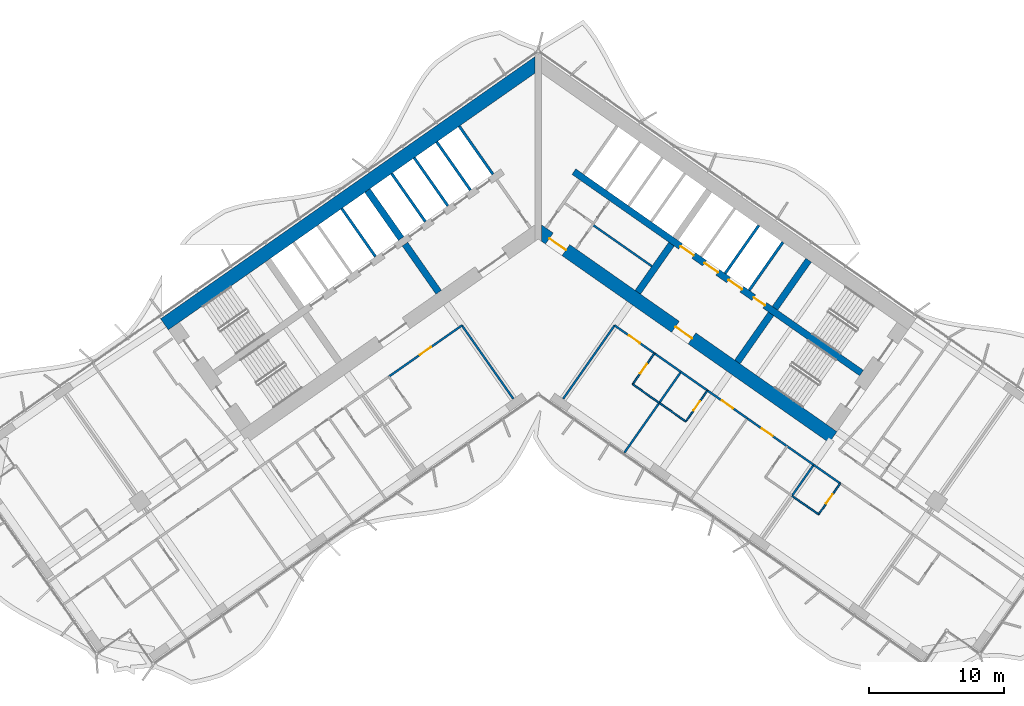
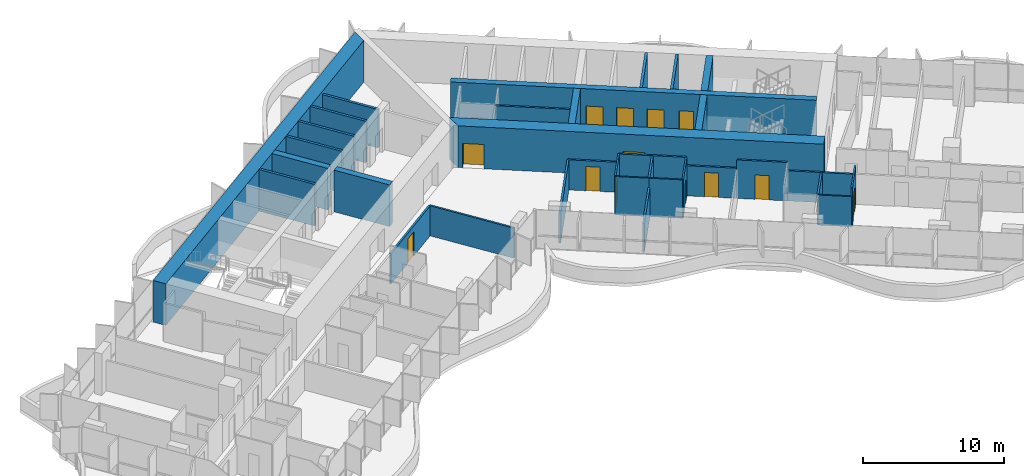
# One storey, part 14 of 23: 35 walls, 13 doors, 13 openings.
"""IFC4 building model written with IfcOpenShell, lengths in metres."""

from ifc_helpers import new_model, si_unit, direction, frame, frame_2d, origin, place, context, subcontext, project, spatial, polyline, rectangle, outline, extrude, material, layer, layer_set, type_object, element, fill, save


model = new_model("IFC4")

# Units and contexts
model_context = context("Model", 3, precision=1e-05, world=origin(), true_north=direction((0.0, 1.0)))
body_context = subcontext(model_context, "Body", "Model", "MODEL_VIEW")
ifc_project = project(units=[si_unit("LENGTHUNIT", "METRE"), si_unit("AREAUNIT", "SQUARE_METRE"), si_unit("VOLUMEUNIT", "CUBIC_METRE"), si_unit("PLANEANGLEUNIT", "RADIAN"), si_unit("MASSUNIT", "GRAM", prefix="KILO")], contexts=[model_context])

# Site, building, storey
site_placement = place(None, origin())
site = spatial("IfcSite", under=ifc_project, at=site_placement, CompositionType="ELEMENT")
building_placement = place(site_placement, origin())
building = spatial("IfcBuilding", under=site, at=building_placement, Name="Tel Ilan Convention Tower", CompositionType="ELEMENT")
storey_placement = place(building_placement, frame((0.0, 0.0, 104.89990234375)))
storey = spatial("IfcBuildingStorey", under=building, at=storey_placement, Name="L22", CompositionType="ELEMENT", Elevation=104.89990234375)

# Walls
ifc_material_1 = material(Name="Gypsum Plasterboard on Steel Stud", Category="steel")
ifc_layer_1 = layer(ifc_material_1, 0.14990234375)
ifc_layer_set_1 = layer_set([ifc_layer_1], Name="Core Room Partition Wall 150 mm EI 60")
wall_type_1 = type_object("IfcWallType", Name="Core Room Partition Wall 150 mm EI 60", PredefinedType="PARTITIONING", material=ifc_layer_set_1)
wall_1_placement = place(storey_placement, frame((4.03271484375, -0.16845703125, 0.0), z_axis=(0.0, 0.0, 1.0), x_axis=(0.819146154531, -0.573584847705, 0.0)))
element("IfcWall", 1, at=wall_1_placement, inside=storey, type_object=wall_type_1, Name="L22 core wall wc-h2", PredefinedType="PARTITIONING", context=body_context, shape_type="SweptSolid", body=[
    extrude(rectangle(XDim=5.349853515625, YDim=0.14990234375, at=frame_2d((2.6748046875, 0.0))), origin(), (0.0, 0.0, 1.0), 3.320068359375),
])
ifc_material_2 = material(Name="Concrete C30/37", Category="concrete")
ifc_layer_2 = layer(ifc_material_2, 0.199951171875)
ifc_layer_set_2 = layer_set([ifc_layer_2], Name="Core Service Room Wall 200 mm C30/37")
wall_type_2 = type_object("IfcWallType", Name="Core Service Room Wall 200 mm C30/37", PredefinedType="SOLIDWALL", material=ifc_layer_set_2)
wall_2_placement = place(storey_placement, frame((-3.355224609375, 3.5712890625, 0.0), z_axis=(0.0, 0.0, 1.0), x_axis=(-0.57356780395, 0.819158088694, 0.0)))
element("IfcWall", 2, at=wall_2_placement, inside=storey, type_object=wall_type_2, Name="L22 core wall apex-W-b", PredefinedType="SOLIDWALL", context=body_context, shape_type="SweptSolid", body=[
    extrude(rectangle(XDim=4.35009765625, YDim=0.199951171875, at=frame_2d((2.175048828125, 0.0))), origin(), (0.0, 0.0, 1.0), 3.320068359375),
])
ifc_material_3 = material(Name="Concrete C60/75", Category="concrete")
ifc_layer_3 = layer(ifc_material_3, 1.0)
ifc_layer_set_3 = layer_set([ifc_layer_3], Name="Core Shear Wall 1000 mm C60/75")
wall_type_3 = type_object("IfcWallType", Name="Core Shear Wall 1000 mm C60/75", PredefinedType="SHEAR", material=ifc_layer_set_3)
wall_3_placement = place(storey_placement, frame((0.036865234375, 11.8671875, 0.0), z_axis=(0.0, 0.0, 1.0), x_axis=(-0.819155306259, -0.573571777746, 0.0)))
element("IfcWall", 3, at=wall_3_placement, inside=storey, type_object=wall_type_3, Name="L22 core wall W-back", PredefinedType="SHEAR", context=body_context, shape_type="SweptSolid", body=[
    extrude(outline(polyline([(33.8369140625, 0.5), (0.7001953125, 0.499755859375), (0.0, -0.5), (33.8369140625, -0.5), (33.8369140625, 0.5)])), origin(), (0.0, 0.0, 1.0), 3.60009765625),
])

# Wall, openings, doors
wall_4_placement = place(storey_placement, frame((-0.036865234375, -0.584716796875, 0.0), z_axis=(0.0, 0.0, 1.0), x_axis=(0.819157152511, -0.573569140985, 0.0)))
wall_4 = element("IfcWall", 4, at=wall_4_placement, inside=storey, type_object=wall_type_3, Name="L22 core wall E-front", PredefinedType="SHEAR", context=body_context, shape_type="SweptSolid", body=[
    extrude(outline(polyline([(26.69482421875, 0.499755859375), (0.0, 0.5), (0.7001953125, -0.499755859375), (26.69482421875, -0.500244140625), (26.69482421875, 0.499755859375)])), origin(), (0.0, 0.0, 1.0), 3.60009765625),
])
opening_1_placement = place(wall_4_placement, frame((1.044921875, 0.0, 0.0)))
opening_1 = element("IfcOpeningElement", 5, at=opening_1_placement, cuts=wall_4, Name="Opening CD1903", PredefinedType="OPENING", context=body_context, shape_type="SweptSolid", body=[
    extrude(rectangle(XDim=1.5, YDim=2.10009765625, at=frame_2d((0.75, 1.050048828125))), frame((0.0, 0.510009765625, 0.0), z_axis=(0.0, -1.0, 0.0), x_axis=(1.0, 0.0, 0.0)), (0.0, 0.0, 1.0), 1.02001953125),
])
opening_2_placement = place(wall_4_placement, frame((12.44482421875, 0.0, 0.0)))
opening_2 = element("IfcOpeningElement", 6, at=opening_2_placement, cuts=wall_4, Name="Opening CD1904", PredefinedType="OPENING", context=body_context, shape_type="SweptSolid", body=[
    extrude(rectangle(XDim=1.5, YDim=2.10009765625, at=frame_2d((0.75, 1.050048828125))), frame((0.0, 0.510009765625, 0.0), z_axis=(0.0, -1.0, 0.0), x_axis=(1.0, 0.0, 0.0)), (0.0, 0.0, 1.0), 1.02001953125),
])
ifc_material_4 = material(Name="Glazed Aluminium Door Leaf", Category="aluminium")
door_type_1 = type_object("IfcDoorType", Name="Lobby Opening Door 1500 x 2100 FD60S", OperationType="NOTDEFINED", PredefinedType="DOOR", material=ifc_material_4)
door_1_placement = place(opening_2_placement, origin())
door_1 = element("IfcDoor", 7, at=door_1_placement, inside=storey, type_object=door_type_1, Name="Firefighting Lobby door", OperationType="DOUBLE_DOOR_SINGLE_SWING", OverallHeight=2.10009765625, OverallWidth=1.5, PredefinedType="DOOR", context=body_context, shape_type="SweptSolid", body=[
    extrude(rectangle(XDim=1.5, YDim=2.10009765625, at=frame_2d((0.75, 1.050048828125))), frame((0.0, 0.02490234375, 0.0), z_axis=(0.0, -1.0, 0.0), x_axis=(1.0, 0.0, 0.0)), (0.0, 0.0, 1.0), 0.050048828125),
])
fill(opening_2, door_1)
ifc_material_5 = material(Name="Laminated Timber Door Leaf", Category="wood")
door_type_2 = type_object("IfcDoorType", Name="Toilet Door 1500 x 2100 FD30S", OperationType="NOTDEFINED", PredefinedType="DOOR", material=ifc_material_5)
door_2_placement = place(opening_1_placement, origin())
door_2 = element("IfcDoor", 8, at=door_2_placement, inside=storey, type_object=door_type_2, Name="WC Lobby door", OperationType="SINGLE_SWING_RIGHT", OverallHeight=2.10009765625, OverallWidth=1.5, PredefinedType="DOOR", context=body_context, shape_type="SweptSolid", body=[
    extrude(rectangle(XDim=1.5, YDim=2.10009765625, at=frame_2d((0.75, 1.050048828125))), frame((0.0, 0.02490234375, 0.0), z_axis=(0.0, -1.0, 0.0), x_axis=(1.0, 0.0, 0.0)), (0.0, 0.0, 1.0), 0.050048828125),
])
fill(opening_1, door_2)

# Walls
ifc_material_6 = material(Name="Concrete C60/75", Category="concrete")
ifc_layer_4 = layer(ifc_material_6, 0.5)
ifc_layer_set_4 = layer_set([ifc_layer_4], Name="Core Shear Wall 500 mm C60/75")
wall_type_4 = type_object("IfcWallType", Name="Core Shear Wall 500 mm C60/75", PredefinedType="SHEAR", material=ifc_layer_set_4)
wall_5_placement = place(storey_placement, frame((-7.372314453125, -5.162109375, 0.0), z_axis=(0.0, 0.0, 1.0), x_axis=(-0.573594173421, 0.819139624372, 0.0)))
element("IfcWall", 9, at=wall_5_placement, inside=storey, type_object=wall_type_4, Name="L22 core wall W-cross1-1", PredefinedType="SHEAR", context=body_context, shape_type="SweptSolid", body=[
    extrude(outline(polyline([(4.349853515625, 0.25), (0.0, 0.250244140625), (0.0, -0.25), (4.349853515625, -0.25), (4.349853515625, 0.25)])), origin(), (0.0, 0.0, 1.0), 3.60009765625),
])
wall_6_placement = place(storey_placement, frame((-10.154296875, -1.189208984375, 0.0), z_axis=(0.0, 0.0, 1.0), x_axis=(-0.573594173421, 0.819139624372, 0.0)))
element("IfcWall", 10, at=wall_6_placement, inside=storey, type_object=wall_type_4, Name="L22 core wall W-cross1-2", PredefinedType="SHEAR", context=body_context, shape_type="SweptSolid", body=[
    extrude(outline(polyline([(4.349853515625, -0.25), (4.349853515625, 0.25), (-0.000244140625, 0.25), (-0.000244140625, -0.25), (4.349853515625, -0.25)])), origin(), (0.0, 0.0, 1.0), 3.60009765625),
])
wall_7_placement = place(storey_placement, frame((7.372314453125, -5.162109375, 0.0), z_axis=(0.0, 0.0, 1.0), x_axis=(0.573594173421, 0.819139624372, 0.0)))
element("IfcWall", 11, at=wall_7_placement, inside=storey, type_object=wall_type_4, Name="L22 core wall E-cross1-1", PredefinedType="SHEAR", context=body_context, shape_type="SweptSolid", body=[
    extrude(outline(polyline([(0.0, 0.25), (0.0, -0.250244140625), (4.349853515625, -0.25), (4.349853515625, 0.25), (0.0, 0.25)])), origin(), (0.0, 0.0, 1.0), 3.60009765625),
])
wall_8_placement = place(storey_placement, frame((14.74462890625, -10.324462890625, 0.0), z_axis=(0.0, 0.0, 1.0), x_axis=(0.57356780395, 0.819158088694, 0.0)))
element("IfcWall", 12, at=wall_8_placement, inside=storey, type_object=wall_type_4, Name="L22 core wall E-cross2-1", PredefinedType="SHEAR", context=body_context, shape_type="SweptSolid", body=[
    extrude(outline(polyline([(0.0, 0.25), (0.0, -0.25), (4.35009765625, -0.250244140625), (4.35009765625, 0.25), (0.0, 0.25)])), origin(), (0.0, 0.0, 1.0), 3.60009765625),
])
wall_9_placement = place(storey_placement, frame((17.526611328125, -6.3515625, 0.0), z_axis=(0.0, 0.0, 1.0), x_axis=(0.573530143085, 0.819184457233, 0.0)))
element("IfcWall", 13, at=wall_9_placement, inside=storey, type_object=wall_type_4, Name="L22 core wall E-cross2-2", PredefinedType="SHEAR", context=body_context, shape_type="SweptSolid", body=[
    extrude(outline(polyline([(4.35009765625, -0.250244140625), (4.35009765625, 0.249755859375), (0.0, 0.25), (0.0, -0.25), (4.35009765625, -0.250244140625)])), origin(), (0.0, 0.0, 1.0), 3.60009765625),
])

# Wall, openings, doors
wall_10_placement = place(storey_placement, frame((2.638427734375, 3.76806640625, 0.0), z_axis=(0.0, 0.0, 1.0), x_axis=(0.819148977158, -0.573580816643, 0.0)))
wall_10 = element("IfcWall", 14, at=wall_10_placement, inside=storey, type_object=wall_type_4, Name="L22 core wall E-spine", PredefinedType="SHEAR", context=body_context, shape_type="SweptSolid", body=[
    extrude(outline(polyline([(0.0, 0.25), (0.0, -0.25), (26.0, -0.249755859375), (26.0, 0.250244140625), (0.0, 0.25)])), origin(), (0.0, 0.0, 1.0), 3.60009765625),
])
opening_3_placement = place(wall_10_placement, frame((9.637451171875, 0.0, 0.0)))
opening_3 = element("IfcOpeningElement", 15, at=opening_3_placement, cuts=wall_10, Name="Opening LD1901", PredefinedType="OPENING", context=body_context, shape_type="SweptSolid", body=[
    extrude(rectangle(XDim=1.199951171875, YDim=2.10009765625, at=frame_2d((0.60009765625, 1.050048828125))), frame((0.0, 0.260009765625, 0.0), z_axis=(0.0, -1.0, 0.0), x_axis=(1.0, 0.0, 0.0)), (0.0, 0.0, 1.0), 0.52001953125),
])
opening_4_placement = place(wall_10_placement, frame((11.8125, 0.0, 0.0)))
opening_4 = element("IfcOpeningElement", 16, at=opening_4_placement, cuts=wall_10, Name="Opening LD1902", PredefinedType="OPENING", context=body_context, shape_type="SweptSolid", body=[
    extrude(rectangle(XDim=1.199951171875, YDim=2.10009765625, at=frame_2d((0.60009765625, 1.050048828125))), frame((0.0, 0.260009765625, 0.0), z_axis=(0.0, -1.0, 0.0), x_axis=(1.0, 0.0, 0.0)), (0.0, 0.0, 1.0), 0.52001953125),
])
opening_5_placement = place(wall_10_placement, frame((13.987548828125, 0.0, 0.0)))
opening_5 = element("IfcOpeningElement", 17, at=opening_5_placement, cuts=wall_10, Name="Opening LD1903", PredefinedType="OPENING", context=body_context, shape_type="SweptSolid", body=[
    extrude(rectangle(XDim=1.199951171875, YDim=2.10009765625, at=frame_2d((0.60009765625, 1.050048828125))), frame((0.0, 0.260009765625, 0.0), z_axis=(0.0, -1.0, 0.0), x_axis=(1.0, 0.0, 0.0)), (0.0, 0.0, 1.0), 0.52001953125),
])
opening_6_placement = place(wall_10_placement, frame((16.262451171875, 0.0, 0.0)))
opening_6 = element("IfcOpeningElement", 18, at=opening_6_placement, cuts=wall_10, Name="Opening CD1907", PredefinedType="OPENING", context=body_context, shape_type="SweptSolid", body=[
    extrude(rectangle(XDim=1.0, YDim=2.10009765625, at=frame_2d((0.5, 1.050048828125))), frame((0.0, 0.260009765625, 0.0), z_axis=(0.0, -1.0, 0.0), x_axis=(1.0, 0.0, 0.0)), (0.0, 0.0, 1.0), 0.52001953125),
])
ifc_material_7 = material(Name="Stainless Steel Sliding Door Leaf", Category="steel")
door_type_3 = type_object("IfcDoorType", Name="Lift Landing Door 1200 x 2100 FD120", OperationType="NOTDEFINED", PredefinedType="DOOR", material=ifc_material_7)
door_3_placement = place(opening_3_placement, origin())
door_3 = element("IfcDoor", 19, at=door_3_placement, inside=storey, type_object=door_type_3, Name="Lift FL1 landing door", OperationType="SLIDING_TO_LEFT", OverallHeight=2.10009765625, OverallWidth=1.199951171875, PredefinedType="DOOR", context=body_context, shape_type="SweptSolid", body=[
    extrude(rectangle(XDim=1.199951171875, YDim=2.10009765625, at=frame_2d((0.60009765625, 1.050048828125))), frame((0.0, 0.02490234375, 0.0), z_axis=(0.0, -1.0, 0.0), x_axis=(1.0, 0.0, 0.0)), (0.0, 0.0, 1.0), 0.050048828125),
])
fill(opening_3, door_3)
door_4_placement = place(opening_4_placement, origin())
door_4 = element("IfcDoor", 20, at=door_4_placement, inside=storey, type_object=door_type_3, Name="Lift FL2 landing door", OperationType="SLIDING_TO_RIGHT", OverallHeight=2.10009765625, OverallWidth=1.199951171875, PredefinedType="DOOR", context=body_context, shape_type="SweptSolid", body=[
    extrude(rectangle(XDim=1.199951171875, YDim=2.10009765625, at=frame_2d((0.60009765625, 1.050048828125))), frame((0.0, 0.02490234375, 0.0), z_axis=(0.0, -1.0, 0.0), x_axis=(1.0, 0.0, 0.0)), (0.0, 0.0, 1.0), 0.050048828125),
])
fill(opening_4, door_4)
door_5_placement = place(opening_5_placement, origin())
door_5 = element("IfcDoor", 21, at=door_5_placement, inside=storey, type_object=door_type_3, Name="Lift FL3 landing door", OperationType="SLIDING_TO_LEFT", OverallHeight=2.10009765625, OverallWidth=1.199951171875, PredefinedType="DOOR", context=body_context, shape_type="SweptSolid", body=[
    extrude(rectangle(XDim=1.199951171875, YDim=2.10009765625, at=frame_2d((0.60009765625, 1.050048828125))), frame((0.0, 0.02490234375, 0.0), z_axis=(0.0, -1.0, 0.0), x_axis=(1.0, 0.0, 0.0)), (0.0, 0.0, 1.0), 0.050048828125),
])
fill(opening_5, door_5)
ifc_material_8 = material(Name="Galvanised Steel Door Leaf", Category="steel")
door_type_4 = type_object("IfcDoorType", Name="Service Room Door 1000 x 2100 FD60", OperationType="NOTDEFINED", PredefinedType="DOOR", material=ifc_material_8)
door_6_placement = place(opening_6_placement, origin())
door_6 = element("IfcDoor", 22, at=door_6_placement, inside=storey, type_object=door_type_4, Name="Plant Room door", OperationType="SINGLE_SWING_RIGHT", OverallHeight=2.10009765625, OverallWidth=1.0, PredefinedType="DOOR", context=body_context, shape_type="SweptSolid", body=[
    extrude(rectangle(XDim=1.0, YDim=2.10009765625, at=frame_2d((0.5, 1.050048828125))), frame((0.0, 0.02490234375, 0.0), z_axis=(0.0, -1.0, 0.0), x_axis=(1.0, 0.0, 0.0)), (0.0, 0.0, 1.0), 0.050048828125),
])
fill(opening_6, door_6)

# Wall, opening, door
ifc_material_9 = material(Name="Plasterboard on Steel Studs", Category="steel")
ifc_layer_5 = layer(ifc_material_9, 0.14990234375)
ifc_layer_set_5 = layer_set([ifc_layer_5], Name="Fire-rated Partition 150 EI 60")
wall_type_5 = type_object("IfcWallType", Name="Fire-rated Partition 150 EI 60", PredefinedType="PARTITIONING", material=ifc_layer_set_5)
wall_11_placement = place(storey_placement, frame((8.601318359375, -9.68505859375, 0.0), z_axis=(0.0, 0.0, 1.0), x_axis=(-0.819149096931, 0.573580645591, 0.0)))
wall_11 = element("IfcWall", 23, at=wall_11_placement, inside=storey, type_object=wall_type_5, Name="Partition 006", PredefinedType="PARTITIONING", context=body_context, shape_type="SweptSolid", body=[
    extrude(rectangle(XDim=3.600830078125, YDim=0.14990234375, at=frame_2d((1.80029296875, 0.0))), origin(), (0.0, 0.0, 1.0), 2.60009765625),
])
opening_7_placement = place(wall_11_placement, frame((1.301025390625, 0.0, 0.0)))
opening_7 = element("IfcOpeningElement", 24, at=opening_7_placement, cuts=wall_11, Name="Opening L21-020", PredefinedType="OPENING", context=body_context, shape_type="SweptSolid", body=[
    extrude(rectangle(XDim=1.0, YDim=2.10009765625, at=frame_2d((0.5, 1.050048828125))), frame((0.0, 0.0849609375, 0.0), z_axis=(0.0, -1.0, 0.0), x_axis=(1.0, 0.0, 0.0)), (0.0, 0.0, 1.0), 0.169921875),
])
ifc_material_10 = material(Name="Timber Door Leaf in Steel Frame", Category="steel")
door_type_5 = type_object("IfcDoorType", Name="Hotel Room Entrance Fire Door 1000x2100", OperationType="NOTDEFINED", PredefinedType="DOOR", material=ifc_material_10)
door_7_placement = place(opening_7_placement, origin())
door_7 = element("IfcDoor", 25, at=door_7_placement, inside=storey, type_object=door_type_5, Name="Door L21-020", OperationType="SINGLE_SWING_RIGHT", OverallHeight=2.10009765625, OverallWidth=1.0, PredefinedType="DOOR", context=body_context, shape_type="SweptSolid", body=[
    extrude(rectangle(XDim=1.0, YDim=2.10009765625, at=frame_2d((0.5, 1.050048828125))), frame((0.0, 0.02490234375, 0.0), z_axis=(0.0, -1.0, 0.0), x_axis=(1.0, 0.0, 0.0)), (0.0, 0.0, 1.0), 0.050048828125),
])
fill(opening_7, door_7)

# Wall
wall_12_placement = place(storey_placement, frame((10.568115234375, -11.062255859375, 0.0), z_axis=(0.0, 0.0, 1.0), x_axis=(-0.819146032251, 0.573585022335, 0.0)))
element("IfcWall", 26, at=wall_12_placement, inside=storey, type_object=wall_type_5, Name="Partition 007", PredefinedType="PARTITIONING", context=body_context, shape_type="SweptSolid", body=[
    extrude(rectangle(XDim=2.404052734375, YDim=0.14990234375, at=frame_2d((1.2021484375, 0.0))), origin(), (0.0, 0.0, 1.0), 3.320068359375),
])

# Wall, opening, door
wall_13_placement = place(storey_placement, frame((15.483154296875, -14.503662109375, 0.0), z_axis=(0.0, 0.0, 1.0), x_axis=(-0.819145961204, 0.573585123798, 0.0)))
wall_13 = element("IfcWall", 27, at=wall_13_placement, inside=storey, type_object=wall_type_5, Name="Partition 008", PredefinedType="PARTITIONING", context=body_context, shape_type="SweptSolid", body=[
    extrude(rectangle(XDim=3.60302734375, YDim=0.14990234375, at=frame_2d((1.801513671875, 0.0))), origin(), (0.0, 0.0, 1.0), 2.60009765625),
])
opening_8_placement = place(wall_13_placement, frame((1.302001953125, 0.0, 0.0)))
opening_8 = element("IfcOpeningElement", 28, at=opening_8_placement, cuts=wall_13, Name="Opening L21-022", PredefinedType="OPENING", context=body_context, shape_type="SweptSolid", body=[
    extrude(rectangle(XDim=1.0, YDim=2.10009765625, at=frame_2d((0.5, 1.050048828125))), frame((0.0, 0.0849609375, 0.0), z_axis=(0.0, -1.0, 0.0), x_axis=(1.0, 0.0, 0.0)), (0.0, 0.0, 1.0), 0.169921875),
])
door_8_placement = place(opening_8_placement, origin())
door_8 = element("IfcDoor", 29, at=door_8_placement, inside=storey, type_object=door_type_5, Name="Door L21-022", OperationType="SINGLE_SWING_RIGHT", OverallHeight=2.10009765625, OverallWidth=1.0, PredefinedType="DOOR", context=body_context, shape_type="SweptSolid", body=[
    extrude(rectangle(XDim=1.0, YDim=2.10009765625, at=frame_2d((0.5, 1.050048828125))), frame((0.0, 0.02490234375, 0.0), z_axis=(0.0, -1.0, 0.0), x_axis=(1.0, 0.0, 0.0)), (0.0, 0.0, 1.0), 0.050048828125),
])
fill(opening_8, door_8)

# Wall
wall_14_placement = place(storey_placement, frame((12.5341796875, -12.438720703125, 0.0), z_axis=(0.0, 0.0, 1.0), x_axis=(-0.819193748, 0.57351687267, 0.0)))
element("IfcWall", 30, at=wall_14_placement, inside=storey, type_object=wall_type_5, Name="Partition 009", PredefinedType="PARTITIONING", context=body_context, shape_type="SweptSolid", body=[
    extrude(rectangle(XDim=2.40380859375, YDim=0.14990234375, at=frame_2d((1.201904296875, 0.0))), origin(), (0.0, 0.0, 1.0), 3.320068359375),
])

# Wall, opening, door
wall_15_placement = place(storey_placement, frame((18.43115234375, -16.568115234375, 0.0), z_axis=(0.0, 0.0, 1.0), x_axis=(-0.819145961204, 0.573585123798, 0.0)))
wall_15 = element("IfcWall", 31, at=wall_15_placement, inside=storey, type_object=wall_type_5, Name="Partition 010", PredefinedType="PARTITIONING", context=body_context, shape_type="SweptSolid", body=[
    extrude(rectangle(XDim=3.60302734375, YDim=0.14990234375, at=frame_2d((1.801513671875, 0.0))), origin(), (0.0, 0.0, 1.0), 3.320068359375),
])
opening_9_placement = place(wall_15_placement, frame((1.301025390625, 0.0, 0.0)))
opening_9 = element("IfcOpeningElement", 32, at=opening_9_placement, cuts=wall_15, Name="Opening L21-024", PredefinedType="OPENING", context=body_context, shape_type="SweptSolid", body=[
    extrude(rectangle(XDim=1.0, YDim=2.10009765625, at=frame_2d((0.5, 1.050048828125))), frame((0.0, 0.0849609375, 0.0), z_axis=(0.0, -1.0, 0.0), x_axis=(1.0, 0.0, 0.0)), (0.0, 0.0, 1.0), 0.169921875),
])
door_9_placement = place(opening_9_placement, origin())
door_9 = element("IfcDoor", 33, at=door_9_placement, inside=storey, type_object=door_type_5, Name="Door L21-024", OperationType="SINGLE_SWING_RIGHT", OverallHeight=2.10009765625, OverallWidth=1.0, PredefinedType="DOOR", context=body_context, shape_type="SweptSolid", body=[
    extrude(rectangle(XDim=1.0, YDim=2.10009765625, at=frame_2d((0.5, 1.050048828125))), frame((0.0, 0.02490234375, 0.0), z_axis=(0.0, -1.0, 0.0), x_axis=(1.0, 0.0, 0.0)), (0.0, 0.0, 1.0), 0.050048828125),
])
fill(opening_9, door_9)

# Walls
for number, where, z_axis, x_axis, name in (
    (34, (20.39794921875, -17.9453125, 0.0), (0.0, 0.0, 1.0), (-0.819146032251, 0.573585022335, 0.0), "Partition 011"),
    (35, (22.364013671875, -19.32177734375, 0.0), (0.0, 0.0, 1.0), (-0.819146032251, 0.573585022335, 0.0), "Partition 013"),
):
    element("IfcWall", number, at=place(storey_placement, frame(where, z_axis=z_axis, x_axis=x_axis)), inside=storey, type_object=wall_type_5, Name=name, PredefinedType="PARTITIONING", context=body_context, shape_type="SweptSolid", body=[
        extrude(rectangle(XDim=2.404052734375, YDim=0.14990234375, at=frame_2d((1.2021484375, 0.0))), origin(), (0.0, 0.0, 1.0), 2.60009765625),
    ])

# Wall, opening, door
wall_16_placement = place(storey_placement, frame((-5.651611328125, -7.61962890625, 0.0), z_axis=(0.0, 0.0, 1.0), x_axis=(-0.819155459934, -0.573571558274, 0.0)))
wall_16 = element("IfcWall", 36, at=wall_16_placement, inside=storey, type_object=wall_type_5, Name="Partition 022", PredefinedType="PARTITIONING", context=body_context, shape_type="SweptSolid", body=[
    extrude(rectangle(XDim=6.60107421875, YDim=0.14990234375, at=frame_2d((3.300537109375, 0.0))), origin(), (0.0, 0.0, 1.0), 2.60009765625),
])
opening_10_placement = place(wall_16_placement, frame((2.800048828125, 0.0, 0.0)))
opening_10 = element("IfcOpeningElement", 37, at=opening_10_placement, cuts=wall_16, Name="Opening L21-002", PredefinedType="OPENING", context=body_context, shape_type="SweptSolid", body=[
    extrude(rectangle(XDim=1.0, YDim=2.10009765625, at=frame_2d((0.5, 1.050048828125))), frame((0.0, 0.0849609375, 0.0), z_axis=(0.0, -1.0, 0.0), x_axis=(1.0, 0.0, 0.0)), (0.0, 0.0, 1.0), 0.169921875),
])
door_10_placement = place(opening_10_placement, origin())
door_10 = element("IfcDoor", 38, at=door_10_placement, inside=storey, type_object=door_type_5, Name="Door L21-002", OperationType="SINGLE_SWING_LEFT", OverallHeight=2.10009765625, OverallWidth=1.0, PredefinedType="DOOR", context=body_context, shape_type="SweptSolid", body=[
    extrude(rectangle(XDim=1.0, YDim=2.10009765625, at=frame_2d((0.5, 1.050048828125))), frame((0.0, 0.02490234375, 0.0), z_axis=(0.0, -1.0, 0.0), x_axis=(1.0, 0.0, 0.0)), (0.0, 0.0, 1.0), 0.050048828125),
])
fill(opening_10, door_10)

# Walls
wall_17_placement = place(storey_placement, frame((8.9599609375, -13.35546875, 0.0), z_axis=(0.0, 0.0, 1.0), x_axis=(-0.573564311442, -0.819160534108, 0.0)))
element("IfcWall", 39, at=wall_17_placement, inside=storey, type_object=wall_type_5, Name="Partition 046", PredefinedType="PARTITIONING", context=body_context, shape_type="SweptSolid", body=[
    extrude(rectangle(XDim=4.499267578125, YDim=0.14990234375, at=frame_2d((2.24951171875, 0.0))), origin(), (0.0, 0.0, 1.0), 2.5),
])
wall_18_placement = place(storey_placement, frame((1.848876953125, -13.050537109375, 0.0), z_axis=(0.0, 0.0, 1.0), x_axis=(0.57357355307, 0.819154063177, 0.0)))
element("IfcWall", 40, at=wall_18_placement, inside=storey, type_object=wall_type_5, Name="Partition 047", PredefinedType="PARTITIONING", context=body_context, shape_type="SweptSolid", body=[
    extrude(rectangle(XDim=6.6298828125, YDim=0.14990234375, at=frame_2d((3.31494140625, 0.0))), origin(), (0.0, 0.0, 1.0), 2.60009765625),
])
wall_19_placement = place(storey_placement, frame((10.566650390625, -11.06103515625, 0.0), z_axis=(0.0, 0.0, 1.0), x_axis=(-0.573608623498, -0.819129505664, 0.0)))
element("IfcWall", 41, at=wall_19_placement, inside=storey, type_object=wall_type_5, Name="Partition 048", PredefinedType="PARTITIONING", context=body_context, shape_type="SweptSolid", body=[
    extrude(rectangle(XDim=2.800048828125, YDim=0.14990234375, at=frame_2d((1.39990234375, 0.0))), origin(), (0.0, 0.0, 1.0), 3.320068359375),
])
wall_20_placement = place(storey_placement, frame((20.396484375, -17.944091796875, 0.0), z_axis=(0.0, 0.0, 1.0), x_axis=(-0.57364959175, -0.819100815459, 0.0)))
element("IfcWall", 42, at=wall_20_placement, inside=storey, type_object=wall_type_5, Name="Partition 055", PredefinedType="PARTITIONING", context=body_context, shape_type="SweptSolid", body=[
    extrude(rectangle(XDim=2.800048828125, YDim=0.14990234375, at=frame_2d((1.39990234375, 0.0))), origin(), (0.0, 0.0, 1.0), 2.60009765625),
])
wall_21_placement = place(storey_placement, frame((-1.848876953125, -13.050537109375, 0.0), z_axis=(0.0, 0.0, 1.0), x_axis=(-0.573575988258, 0.819152358047, 0.0)))
element("IfcWall", 43, at=wall_21_placement, inside=storey, type_object=wall_type_5, Name="Partition 062", PredefinedType="PARTITIONING", context=body_context, shape_type="SweptSolid", body=[
    extrude(rectangle(XDim=6.632080078125, YDim=0.14990234375, at=frame_2d((3.31591796875, 0.0))), origin(), (0.0, 0.0, 1.0), 2.60009765625),
])
ifc_material_11 = material(Name="Concrete C30/37", Category="concrete")
ifc_layer_6 = layer(ifc_material_11, 0.199951171875)
ifc_layer_set_6 = layer_set([ifc_layer_6], Name="Lift Shaft Wall 200 mm C30/37")
wall_type_6 = type_object("IfcWallType", Name="Lift Shaft Wall 200 mm C30/37", PredefinedType="SOLIDWALL", material=ifc_layer_set_6)
wall_22_placement = place(storey_placement, frame((-5.0244140625, 2.402587890625, 0.0), z_axis=(0.0, 0.0, 1.0), x_axis=(-0.573530143085, 0.819184457233, 0.0)))
element("IfcWall", 44, at=wall_22_placement, inside=storey, type_object=wall_type_6, Name="L22 core wall bank-W1-p0", PredefinedType="SOLIDWALL", context=body_context, shape_type="SweptSolid", body=[
    extrude(rectangle(XDim=4.35009765625, YDim=0.199951171875, at=frame_2d((2.175048828125, 0.0))), origin(), (0.0, 0.0, 1.0), 3.60009765625),
])
for number, where, z_axis, x_axis, name in (
    (45, (-6.693359375, 1.234130859375, 0.0), (0.0, 0.0, 1.0), (-0.573594173421, 0.819139624372, 0.0), "L22 core wall bank-W1-p1"),
    (46, (-8.3623046875, 0.0654296875, 0.0), (0.0, 0.0, 1.0), (-0.573594173421, 0.819139624372, 0.0), "L22 core wall bank-W1-p2"),
    (47, (-12.05859375, -2.52294921875, 0.0), (0.0, 0.0, 1.0), (-0.573594173421, 0.819139624372, 0.0), "L22 core wall bank-W2-p0"),
):
    element("IfcWall", number, at=place(storey_placement, frame(where, z_axis=z_axis, x_axis=x_axis)), inside=storey, type_object=wall_type_6, Name=name, PredefinedType="SOLIDWALL", context=body_context, shape_type="SweptSolid", body=[
        extrude(rectangle(XDim=4.349853515625, YDim=0.199951171875, at=frame_2d((2.1748046875, 0.0))), origin(), (0.0, 0.0, 1.0), 3.60009765625),
    ])
wall_23_placement = place(storey_placement, frame((13.84033203125, -3.7705078125, 0.0), z_axis=(0.0, 0.0, 1.0), x_axis=(0.57356780395, 0.819158088694, 0.0)))
element("IfcWall", 48, at=wall_23_placement, inside=storey, type_object=wall_type_6, Name="L22 core wall bank-E2-p1", PredefinedType="SOLIDWALL", context=body_context, shape_type="SweptSolid", body=[
    extrude(rectangle(XDim=4.35009765625, YDim=0.199951171875, at=frame_2d((2.175048828125, 0.0))), origin(), (0.0, 0.0, 1.0), 3.60009765625),
])
wall_24_placement = place(storey_placement, frame((15.6220703125, -5.017822265625, 0.0), z_axis=(0.0, 0.0, 1.0), x_axis=(0.573594173421, 0.819139624372, 0.0)))
element("IfcWall", 49, at=wall_24_placement, inside=storey, type_object=wall_type_6, Name="L22 core wall bank-E2-p2", PredefinedType="SOLIDWALL", context=body_context, shape_type="SweptSolid", body=[
    extrude(rectangle(XDim=4.349853515625, YDim=0.199951171875, at=frame_2d((2.1748046875, 0.0))), origin(), (0.0, 0.0, 1.0), 3.60009765625),
])

# Wall, opening, door
ifc_material_12 = material(Name="Plasterboard on Steel Studs", Category="steel")
ifc_layer_7 = layer(ifc_material_12, 0.1201171875)
ifc_layer_set_7 = layer_set([ifc_layer_7], Name="Moisture-resistant Partition 120")
wall_type_7 = type_object("IfcWallType", Name="Moisture-resistant Partition 120", PredefinedType="PARTITIONING", material=ifc_layer_set_7)
wall_25_placement = place(storey_placement, frame((8.599853515625, -9.683837890625, 0.0), z_axis=(0.0, 0.0, 1.0), x_axis=(-0.573550118428, -0.819170471667, 0.0)))
wall_25 = element("IfcWall", 50, at=wall_25_placement, inside=storey, type_object=wall_type_7, Name="Partition 044", PredefinedType="PARTITIONING", context=body_context, shape_type="SweptSolid", body=[
    extrude(rectangle(XDim=2.800048828125, YDim=0.1201171875, at=frame_2d((1.39990234375, 0.0))), origin(), (0.0, 0.0, 1.0), 3.320068359375),
])
opening_11_placement = place(wall_25_placement, frame((0.97509765625, 0.0, 0.0)))
opening_11 = element("IfcOpeningElement", 51, at=opening_11_placement, cuts=wall_25, Name="Opening L21-019", PredefinedType="OPENING", context=body_context, shape_type="SweptSolid", body=[
    extrude(rectangle(XDim=0.85009765625, YDim=2.050048828125, at=frame_2d((0.425048828125, 1.02490234375))), frame((0.0, 0.070068359375, 0.0), z_axis=(0.0, -1.0, 0.0), x_axis=(1.0, 0.0, 0.0)), (0.0, 0.0, 1.0), 0.14013671875),
])
ifc_material_13 = material(Name="Timber Door Leaf in Steel Frame", Category="steel")
door_type_6 = type_object("IfcDoorType", Name="Bathroom Timber Door 850x2050", OperationType="NOTDEFINED", PredefinedType="DOOR", material=ifc_material_13)
door_11_placement = place(opening_11_placement, origin())
door_11 = element("IfcDoor", 52, at=door_11_placement, inside=storey, type_object=door_type_6, Name="Door L21-019", OperationType="SINGLE_SWING_LEFT", OverallHeight=2.050048828125, OverallWidth=0.85009765625, PredefinedType="DOOR", context=body_context, shape_type="SweptSolid", body=[
    extrude(rectangle(XDim=0.85009765625, YDim=2.050048828125, at=frame_2d((0.425048828125, 1.02490234375))), frame((0.0, 0.02490234375, 0.0), z_axis=(0.0, -1.0, 0.0), x_axis=(1.0, 0.0, 0.0)), (0.0, 0.0, 1.0), 0.050048828125),
])
fill(opening_11, door_11)

# Walls
for number, where, z_axis, x_axis, name in (
    (53, (6.993896484375, -11.97900390625, 0.0), (0.0, 0.0, 1.0), (0.819188907105, -0.573523787192, 0.0), "Partition 045"),
    (54, (8.9599609375, -13.35546875, 0.0), (0.0, 0.0, 1.0), (0.819107643868, -0.573639841501, 0.0), "Partition 049"),
):
    element("IfcWall", number, at=place(storey_placement, frame(where, z_axis=z_axis, x_axis=x_axis)), inside=storey, type_object=wall_type_7, Name=name, PredefinedType="PARTITIONING", context=body_context, shape_type="SweptSolid", body=[
        extrude(rectangle(XDim=2.39990234375, YDim=0.1201171875, at=frame_2d((1.199951171875, 0.0))), origin(), (0.0, 0.0, 1.0), 3.320068359375),
    ])

# Wall, opening, door
wall_26_placement = place(storey_placement, frame((10.92724609375, -14.73193359375, 0.0), z_axis=(0.0, 0.0, 1.0), x_axis=(0.573550118428, 0.819170471667, 0.0)))
wall_26 = element("IfcWall", 55, at=wall_26_placement, inside=storey, type_object=wall_type_7, Name="Partition 050", PredefinedType="PARTITIONING", context=body_context, shape_type="SweptSolid", body=[
    extrude(rectangle(XDim=2.800048828125, YDim=0.1201171875, at=frame_2d((1.39990234375, 0.0))), origin(), (0.0, 0.0, 1.0), 3.320068359375),
])
opening_12_placement = place(wall_26_placement, frame((0.97509765625, 0.0, 0.0)))
opening_12 = element("IfcOpeningElement", 56, at=opening_12_placement, cuts=wall_26, Name="Opening L21-021", PredefinedType="OPENING", context=body_context, shape_type="SweptSolid", body=[
    extrude(rectangle(XDim=0.85009765625, YDim=2.050048828125, at=frame_2d((0.425048828125, 1.02490234375))), frame((0.0, 0.070068359375, 0.0), z_axis=(0.0, -1.0, 0.0), x_axis=(1.0, 0.0, 0.0)), (0.0, 0.0, 1.0), 0.14013671875),
])
door_12_placement = place(opening_12_placement, origin())
door_12 = element("IfcDoor", 57, at=door_12_placement, inside=storey, type_object=door_type_6, Name="Door L21-021", OperationType="SINGLE_SWING_LEFT", OverallHeight=2.050048828125, OverallWidth=0.85009765625, PredefinedType="DOOR", context=body_context, shape_type="SweptSolid", body=[
    extrude(rectangle(XDim=0.85009765625, YDim=2.050048828125, at=frame_2d((0.425048828125, 1.02490234375))), frame((0.0, 0.02490234375, 0.0), z_axis=(0.0, -1.0, 0.0), x_axis=(1.0, 0.0, 0.0)), (0.0, 0.0, 1.0), 0.050048828125),
])
fill(opening_12, door_12)

# Wall
wall_27_placement = place(storey_placement, frame((18.789794921875, -20.238525390625, 0.0), z_axis=(0.0, 0.0, 1.0), x_axis=(0.819188907105, -0.573523787192, 0.0)))
element("IfcWall", 58, at=wall_27_placement, inside=storey, type_object=wall_type_7, Name="Partition 056", PredefinedType="PARTITIONING", context=body_context, shape_type="SweptSolid", body=[
    extrude(rectangle(XDim=2.39990234375, YDim=0.1201171875, at=frame_2d((1.199951171875, 0.0))), origin(), (0.0, 0.0, 1.0), 2.60009765625),
])

# Wall, opening, door
wall_28_placement = place(storey_placement, frame((20.757080078125, -21.61474609375, 0.0), z_axis=(0.0, 0.0, 1.0), x_axis=(0.57364959175, 0.819100815459, 0.0)))
wall_28 = element("IfcWall", 59, at=wall_28_placement, inside=storey, type_object=wall_type_7, Name="Partition 057", PredefinedType="PARTITIONING", context=body_context, shape_type="SweptSolid", body=[
    extrude(rectangle(XDim=2.800048828125, YDim=0.1201171875, at=frame_2d((1.39990234375, 0.0))), origin(), (0.0, 0.0, 1.0), 3.320068359375),
])
opening_13_placement = place(wall_28_placement, frame((0.97509765625, 0.0, 0.0)))
opening_13 = element("IfcOpeningElement", 60, at=opening_13_placement, cuts=wall_28, Name="Opening L21-025", PredefinedType="OPENING", context=body_context, shape_type="SweptSolid", body=[
    extrude(rectangle(XDim=0.85009765625, YDim=2.050048828125, at=frame_2d((0.425048828125, 1.02490234375))), frame((0.0, 0.070068359375, 0.0), z_axis=(0.0, -1.0, 0.0), x_axis=(1.0, 0.0, 0.0)), (0.0, 0.0, 1.0), 0.14013671875),
])
door_13_placement = place(opening_13_placement, origin())
door_13 = element("IfcDoor", 61, at=door_13_placement, inside=storey, type_object=door_type_6, Name="Door L21-025", OperationType="SINGLE_SWING_LEFT", OverallHeight=2.050048828125, OverallWidth=0.85009765625, PredefinedType="DOOR", context=body_context, shape_type="SweptSolid", body=[
    extrude(rectangle(XDim=0.85009765625, YDim=2.050048828125, at=frame_2d((0.425048828125, 1.02490234375))), frame((0.0, 0.02490234375, 0.0), z_axis=(0.0, -1.0, 0.0), x_axis=(1.0, 0.0, 0.0)), (0.0, 0.0, 1.0), 0.050048828125),
])
fill(opening_13, door_13)

save(model, "model.ifc")
